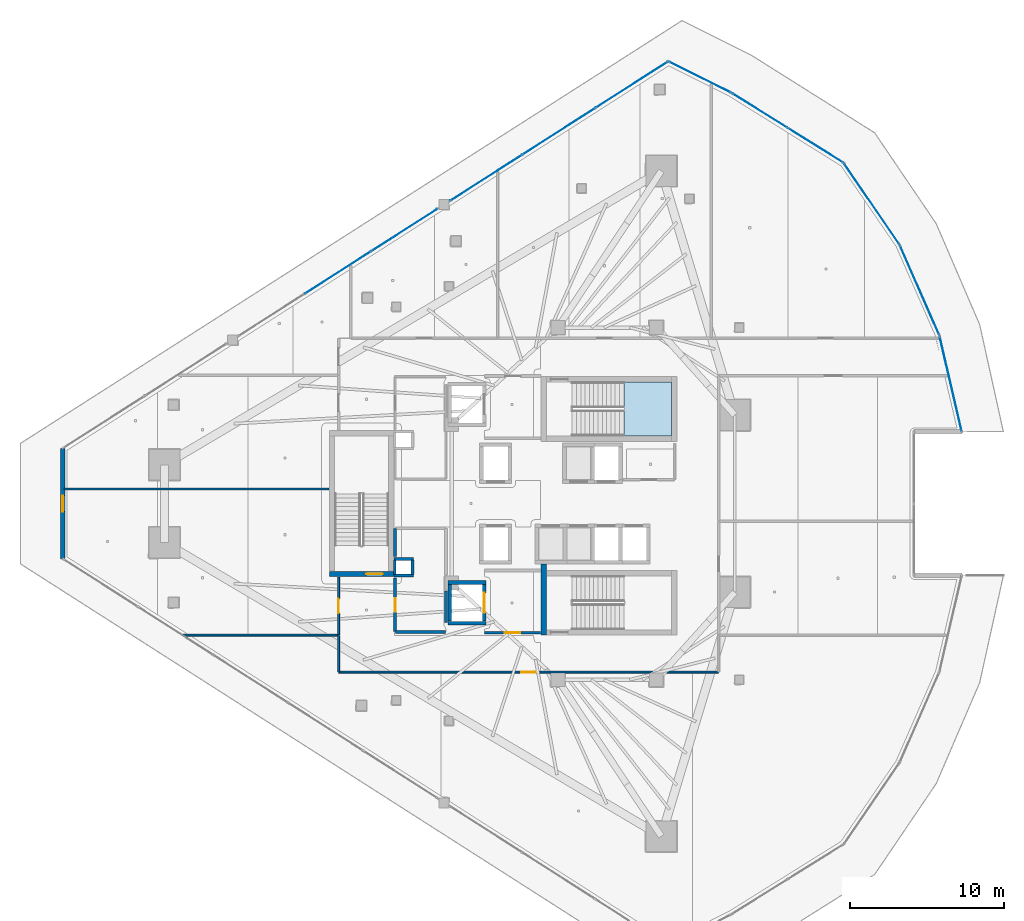
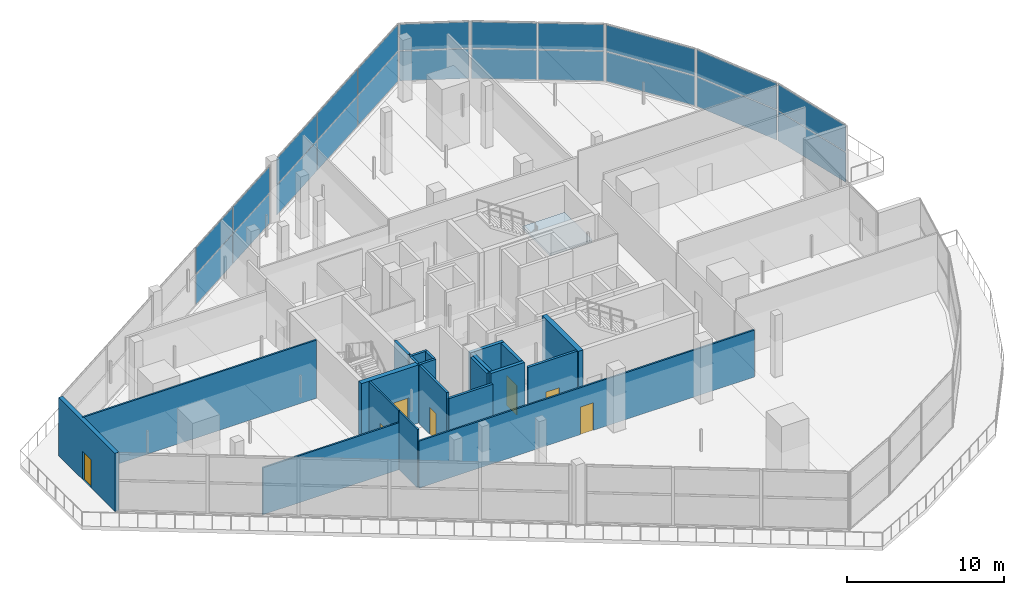
# One storey, part 23 of 36: 22 plates, 21 walls, 7 doors, 1 slab, 7 openings, 8 elements without a shape of their own.
"""IFC4 building model written with IfcOpenShell, lengths in metres."""

from ifc_helpers import new_model, si_unit, direction, frame, frame_2d, origin, origin_2d, place, context, subcontext, project, spatial, polyline, rectangle, outline, extrude, material, layer, layer_set, type_object, element, fill, aggregate, save


model = new_model("IFC4")

# Units and contexts
model_context = context("Model", 3, precision=1e-05, world=origin(), true_north=direction((0.0, 1.0)))
body_context = subcontext(model_context, "Body", "Model", "MODEL_VIEW")
ifc_project = project(units=[si_unit("LENGTHUNIT", "METRE"), si_unit("AREAUNIT", "SQUARE_METRE"), si_unit("VOLUMEUNIT", "CUBIC_METRE"), si_unit("PLANEANGLEUNIT", "RADIAN"), si_unit("MASSUNIT", "GRAM", prefix="KILO")], contexts=[model_context])

# Site, building, storey
site_placement = place(None, origin())
site = spatial("IfcSite", under=ifc_project, at=site_placement, CompositionType="ELEMENT")
building_placement = place(site_placement, origin())
building = spatial("IfcBuilding", under=site, at=building_placement, Name="Qorvath Tower", CompositionType="ELEMENT")
storey_placement = place(building_placement, frame((0.0, 0.0, 180.0)))
storey = spatial("IfcBuildingStorey", under=building, at=storey_placement, Name="L41", CompositionType="ELEMENT", Elevation=180.0)

# Curtain wall, plates
ifc_material_1 = material(Name="Anodised aluminium and triple low-E glass", Category="aluminium")
ifc_layer_1 = layer(ifc_material_1, 0.179931640625)
ifc_layer_set_1 = layer_set([ifc_layer_1], Name="CW-SYS-5")
curtain_wall_type = type_object("IfcCurtainWallType", Name="CW-SYS-5", PredefinedType="NOTDEFINED", material=ifc_layer_set_1)
curtain_wall_1_placement = place(storey_placement, origin())
curtain_wall_1 = element("IfcCurtainWall", 1, at=curtain_wall_1_placement, inside=storey, type_object=curtain_wall_type, Name="Curtain Wall CW-5 CW-T-L41-11.1", PredefinedType="NOTDEFINED")
ifc_material_2 = material(Name="Low-E triple insulated glass", Category="glass")
ifc_layer_2 = layer(ifc_material_2, 0.031982421875)
ifc_layer_set_2 = layer_set([ifc_layer_2], Name="CWP-GLZ-32")
plate_type = type_object("IfcPlateType", Name="CWP-GLZ-32", PredefinedType="CURTAIN_PANEL", material=ifc_layer_set_2)
plate_1_placement = place(storey_placement, frame((1.9375, 7.801513671875, 0.06494140625), z_axis=(0.0, 0.0, 1.0), x_axis=(-0.2259233779, 0.974145075088, 0.0)))
plate_1 = element("IfcPlate", 2, at=plate_1_placement, type_object=plate_type, Name="CW-5 panel 1.1", PredefinedType="CURTAIN_PANEL", context=body_context, shape_type="SweptSolid", body=[
    extrude(rectangle(XDim=6.28857421875, YDim=0.031982421875, at=origin_2d()), origin(), (0.0, 0.0, 1.0), 2.302490234375),
])
plate_2_placement = place(storey_placement, frame((1.9375, 7.801513671875, 2.432373046875), z_axis=(0.0, 0.0, 1.0), x_axis=(-0.2259233779, 0.974145075088, 0.0)))
plate_2 = element("IfcPlate", 3, at=plate_2_placement, type_object=plate_type, Name="CW-5 panel 1.2", PredefinedType="CURTAIN_PANEL", context=body_context, shape_type="SweptSolid", body=[
    extrude(rectangle(XDim=6.28857421875, YDim=0.031982421875, at=origin_2d()), origin(), (0.0, 0.0, 1.0), 2.03271484375),
])
aggregate(curtain_wall_1, [plate_1, plate_2])

curtain_wall_2_placement = place(storey_placement, origin())
curtain_wall_2 = element("IfcCurtainWall", 4, at=curtain_wall_2_placement, inside=storey, type_object=curtain_wall_type, Name="Curtain Wall CW-5 CW-T-L41-12.1", PredefinedType="NOTDEFINED")
plate_3_placement = place(storey_placement, frame((-0.083984375, 13.885009765625, 0.06494140625), z_axis=(0.0, 0.0, 1.0), x_axis=(-0.402061841186, 0.915612514038, 0.0)))
plate_3 = element("IfcPlate", 5, at=plate_3_placement, type_object=plate_type, Name="CW-5 panel 1.1", PredefinedType="CURTAIN_PANEL", context=body_context, shape_type="SweptSolid", body=[
    extrude(rectangle(XDim=6.288330078125, YDim=0.031982421875, at=origin_2d()), origin(), (0.0, 0.0, 1.0), 2.302490234375),
])
plate_4_placement = place(storey_placement, frame((-0.083984375, 13.885009765625, 2.432373046875), z_axis=(0.0, 0.0, 1.0), x_axis=(-0.402061841186, 0.915612514038, 0.0)))
plate_4 = element("IfcPlate", 6, at=plate_4_placement, type_object=plate_type, Name="CW-5 panel 1.2", PredefinedType="CURTAIN_PANEL", context=body_context, shape_type="SweptSolid", body=[
    extrude(rectangle(XDim=6.288330078125, YDim=0.031982421875, at=origin_2d()), origin(), (0.0, 0.0, 1.0), 2.03271484375),
])
aggregate(curtain_wall_2, [plate_3, plate_4])

curtain_wall_3_placement = place(storey_placement, origin())
curtain_wall_3 = element("IfcCurtainWall", 7, at=curtain_wall_3_placement, inside=storey, type_object=curtain_wall_type, Name="Curtain Wall CW-5 CW-T-L41-13.1", PredefinedType="NOTDEFINED")
plate_5_placement = place(storey_placement, frame((-3.1953125, 19.489990234375, 0.06494140625), z_axis=(0.0, 0.0, 1.0), x_axis=(-0.564389891595, 0.825508358689, 0.0)))
plate_5 = element("IfcPlate", 8, at=plate_5_placement, type_object=plate_type, Name="CW-5 panel 1.1", PredefinedType="CURTAIN_PANEL", context=body_context, shape_type="SweptSolid", body=[
    extrude(rectangle(XDim=6.28857421875, YDim=0.031982421875, at=origin_2d()), origin(), (0.0, 0.0, 1.0), 2.302490234375),
])
plate_6_placement = place(storey_placement, frame((-3.1953125, 19.489990234375, 2.432373046875), z_axis=(0.0, 0.0, 1.0), x_axis=(-0.564389891595, 0.825508358689, 0.0)))
plate_6 = element("IfcPlate", 9, at=plate_6_placement, type_object=plate_type, Name="CW-5 panel 1.2", PredefinedType="CURTAIN_PANEL", context=body_context, shape_type="SweptSolid", body=[
    extrude(rectangle(XDim=6.28857421875, YDim=0.031982421875, at=origin_2d()), origin(), (0.0, 0.0, 1.0), 2.03271484375),
])
aggregate(curtain_wall_3, [plate_5, plate_6])

curtain_wall_4_placement = place(storey_placement, origin())
curtain_wall_4 = element("IfcCurtainWall", 10, at=curtain_wall_4_placement, inside=storey, type_object=curtain_wall_type, Name="Curtain Wall CW-5 CW-T-L41-14.1", PredefinedType="NOTDEFINED")
plate_7_placement = place(storey_placement, frame((-6.85205078125, 23.29541015625, 0.06494140625), z_axis=(0.0, 0.0, 1.0), x_axis=(-0.848428552633, 0.529309919685, 0.0)))
plate_7 = element("IfcPlate", 11, at=plate_7_placement, type_object=plate_type, Name="CW-5 panel 1.1", PredefinedType="CURTAIN_PANEL", context=body_context, shape_type="SweptSolid", body=[
    extrude(rectangle(XDim=4.187255859375, YDim=0.031982421875, at=origin_2d()), origin(), (0.0, 0.0, 1.0), 2.302490234375),
])
plate_8_placement = place(storey_placement, frame((-6.85205078125, 23.29541015625, 2.432373046875), z_axis=(0.0, 0.0, 1.0), x_axis=(-0.848428552633, 0.529309919685, 0.0)))
plate_8 = element("IfcPlate", 12, at=plate_8_placement, type_object=plate_type, Name="CW-5 panel 1.2", PredefinedType="CURTAIN_PANEL", context=body_context, shape_type="SweptSolid", body=[
    extrude(rectangle(XDim=4.187255859375, YDim=0.031982421875, at=origin_2d()), origin(), (0.0, 0.0, 1.0), 2.03271484375),
])
plate_9_placement = place(storey_placement, frame((-10.46826171875, 25.55126953125, 0.06494140625), z_axis=(0.0, 0.0, 1.0), x_axis=(-0.848428552633, 0.529309919685, 0.0)))
plate_9 = element("IfcPlate", 13, at=plate_9_placement, type_object=plate_type, Name="CW-5 panel 2.1", PredefinedType="CURTAIN_PANEL", context=body_context, shape_type="SweptSolid", body=[
    extrude(rectangle(XDim=4.187255859375, YDim=0.031982421875, at=origin_2d()), origin(), (0.0, 0.0, 1.0), 2.302490234375),
])
plate_10_placement = place(storey_placement, frame((-10.46826171875, 25.55126953125, 2.432373046875), z_axis=(0.0, 0.0, 1.0), x_axis=(-0.848428552633, 0.529309919685, 0.0)))
plate_10 = element("IfcPlate", 14, at=plate_10_placement, type_object=plate_type, Name="CW-5 panel 2.2", PredefinedType="CURTAIN_PANEL", context=body_context, shape_type="SweptSolid", body=[
    extrude(rectangle(XDim=4.187255859375, YDim=0.031982421875, at=origin_2d()), origin(), (0.0, 0.0, 1.0), 2.03271484375),
])
aggregate(curtain_wall_4, [plate_7, plate_8, plate_9, plate_10])

curtain_wall_5_placement = place(storey_placement, origin())
curtain_wall_5 = element("IfcCurtainWall", 15, at=curtain_wall_5_placement, inside=storey, type_object=curtain_wall_type, Name="Curtain Wall CW-5 CW-T-L41-15.1", PredefinedType="NOTDEFINED")
plate_11_placement = place(storey_placement, frame((-14.362060546875, 27.72607421875, 0.06494140625), z_axis=(0.0, 0.0, 1.0), x_axis=(-0.894440255455, 0.447187465635, 0.0)))
plate_11 = element("IfcPlate", 16, at=plate_11_placement, type_object=plate_type, Name="CW-5 panel 1.1", PredefinedType="CURTAIN_PANEL", context=body_context, shape_type="SweptSolid", body=[
    extrude(rectangle(XDim=4.4423828125, YDim=0.031982421875, at=origin_2d()), origin(), (0.0, 0.0, 1.0), 2.302490234375),
])
plate_12_placement = place(storey_placement, frame((-14.362060546875, 27.72607421875, 2.432373046875), z_axis=(0.0, 0.0, 1.0), x_axis=(-0.894440255455, 0.447187465635, 0.0)))
plate_12 = element("IfcPlate", 17, at=plate_12_placement, type_object=plate_type, Name="CW-5 panel 1.2", PredefinedType="CURTAIN_PANEL", context=body_context, shape_type="SweptSolid", body=[
    extrude(rectangle(XDim=4.4423828125, YDim=0.031982421875, at=origin_2d()), origin(), (0.0, 0.0, 1.0), 2.03271484375),
])
aggregate(curtain_wall_5, [plate_11, plate_12])

curtain_wall_6_placement = place(storey_placement, origin())
curtain_wall_6 = element("IfcCurtainWall", 18, at=curtain_wall_6_placement, inside=storey, type_object=curtain_wall_type, Name="Curtain Wall CW-5 CW-T-L41-16.1", PredefinedType="NOTDEFINED")
plate_13_placement = place(storey_placement, frame((-18.80322265625, 27.22705078125, 0.06494140625), z_axis=(0.0, 0.0, 1.0), x_axis=(-0.842597295183, -0.538544146891, 0.0)))
plate_13 = element("IfcPlate", 19, at=plate_13_placement, type_object=plate_type, Name="CW-5 panel 1.1", PredefinedType="CURTAIN_PANEL", context=body_context, shape_type="SweptSolid", body=[
    extrude(rectangle(XDim=5.51708984375, YDim=0.031982421875, at=origin_2d()), origin(), (0.0, 0.0, 1.0), 2.302490234375),
])
plate_14_placement = place(storey_placement, frame((-18.80322265625, 27.22705078125, 2.432373046875), z_axis=(0.0, 0.0, 1.0), x_axis=(-0.842597295183, -0.538544146891, 0.0)))
plate_14 = element("IfcPlate", 20, at=plate_14_placement, type_object=plate_type, Name="CW-5 panel 1.2", PredefinedType="CURTAIN_PANEL", context=body_context, shape_type="SweptSolid", body=[
    extrude(rectangle(XDim=5.51708984375, YDim=0.031982421875, at=origin_2d()), origin(), (0.0, 0.0, 1.0), 2.03271484375),
])
plate_15_placement = place(storey_placement, frame((-23.531005859375, 24.205322265625, 0.06494140625), z_axis=(0.0, 0.0, 1.0), x_axis=(-0.842597295183, -0.538544146891, 0.0)))
plate_15 = element("IfcPlate", 21, at=plate_15_placement, type_object=plate_type, Name="CW-5 panel 2.1", PredefinedType="CURTAIN_PANEL", context=body_context, shape_type="SweptSolid", body=[
    extrude(rectangle(XDim=5.554443359375, YDim=0.031982421875, at=origin_2d()), origin(), (0.0, 0.0, 1.0), 2.302490234375),
])
plate_16_placement = place(storey_placement, frame((-23.531005859375, 24.205322265625, 2.432373046875), z_axis=(0.0, 0.0, 1.0), x_axis=(-0.842597295183, -0.538544146891, 0.0)))
plate_16 = element("IfcPlate", 22, at=plate_16_placement, type_object=plate_type, Name="CW-5 panel 2.2", PredefinedType="CURTAIN_PANEL", context=body_context, shape_type="SweptSolid", body=[
    extrude(rectangle(XDim=5.554443359375, YDim=0.031982421875, at=origin_2d()), origin(), (0.0, 0.0, 1.0), 2.03271484375),
])
plate_17_placement = place(storey_placement, frame((-28.258544921875, 21.18359375, 0.06494140625), z_axis=(0.0, 0.0, 1.0), x_axis=(-0.842597295183, -0.538544146891, 0.0)))
plate_17 = element("IfcPlate", 23, at=plate_17_placement, type_object=plate_type, Name="CW-5 panel 3.1", PredefinedType="CURTAIN_PANEL", context=body_context, shape_type="SweptSolid", body=[
    extrude(rectangle(XDim=5.51708984375, YDim=0.031982421875, at=origin_2d()), origin(), (0.0, 0.0, 1.0), 2.302490234375),
])
plate_18_placement = place(storey_placement, frame((-28.258544921875, 21.18359375, 2.432373046875), z_axis=(0.0, 0.0, 1.0), x_axis=(-0.842597295183, -0.538544146891, 0.0)))
plate_18 = element("IfcPlate", 24, at=plate_18_placement, type_object=plate_type, Name="CW-5 panel 3.2", PredefinedType="CURTAIN_PANEL", context=body_context, shape_type="SweptSolid", body=[
    extrude(rectangle(XDim=5.51708984375, YDim=0.031982421875, at=origin_2d()), origin(), (0.0, 0.0, 1.0), 2.03271484375),
])
aggregate(curtain_wall_6, [plate_13, plate_14, plate_15, plate_16, plate_17, plate_18])

curtain_wall_7_placement = place(storey_placement, origin())
curtain_wall_7 = element("IfcCurtainWall", 25, at=curtain_wall_7_placement, inside=storey, type_object=curtain_wall_type, Name="Curtain Wall CW-5 CW-T-L41-16.2", PredefinedType="NOTDEFINED")
plate_19_placement = place(storey_placement, frame((-33.565185546875, 17.7919921875, 0.06494140625), z_axis=(0.0, 0.0, 1.0), x_axis=(-0.842602165497, -0.538536526802, 0.0)))
plate_19 = element("IfcPlate", 26, at=plate_19_placement, type_object=plate_type, Name="CW-5 panel 1.1", PredefinedType="CURTAIN_PANEL", context=body_context, shape_type="SweptSolid", body=[
    extrude(rectangle(XDim=5.0224609375, YDim=0.031982421875, at=origin_2d()), origin(), (0.0, 0.0, 1.0), 2.302490234375),
])
plate_20_placement = place(storey_placement, frame((-33.565185546875, 17.7919921875, 2.432373046875), z_axis=(0.0, 0.0, 1.0), x_axis=(-0.842602165497, -0.538536526802, 0.0)))
plate_20 = element("IfcPlate", 27, at=plate_20_placement, type_object=plate_type, Name="CW-5 panel 1.2", PredefinedType="CURTAIN_PANEL", context=body_context, shape_type="SweptSolid", body=[
    extrude(rectangle(XDim=5.0224609375, YDim=0.031982421875, at=origin_2d()), origin(), (0.0, 0.0, 1.0), 2.03271484375),
])
plate_21_placement = place(storey_placement, frame((-37.876220703125, 15.036865234375, 0.06494140625), z_axis=(0.0, 0.0, 1.0), x_axis=(-0.842602165497, -0.538536526802, 0.0)))
plate_21 = element("IfcPlate", 28, at=plate_21_placement, type_object=plate_type, Name="CW-5 panel 2.1", PredefinedType="CURTAIN_PANEL", context=body_context, shape_type="SweptSolid", body=[
    extrude(rectangle(XDim=5.06005859375, YDim=0.031982421875, at=origin_2d()), origin(), (0.0, 0.0, 1.0), 2.302490234375),
])
plate_22_placement = place(storey_placement, frame((-37.876220703125, 15.036865234375, 2.432373046875), z_axis=(0.0, 0.0, 1.0), x_axis=(-0.842602165497, -0.538536526802, 0.0)))
plate_22 = element("IfcPlate", 29, at=plate_22_placement, type_object=plate_type, Name="CW-5 panel 2.2", PredefinedType="CURTAIN_PANEL", context=body_context, shape_type="SweptSolid", body=[
    extrude(rectangle(XDim=5.06005859375, YDim=0.031982421875, at=origin_2d()), origin(), (0.0, 0.0, 1.0), 2.03271484375),
])
aggregate(curtain_wall_7, [plate_19, plate_20, plate_21, plate_22])

# Stair, slab
ifc_material_3 = material(Name="Concrete C50/60", Category="concrete")
stair_type = type_object("IfcStairType", Name="ST-H480", PredefinedType="HALF_TURN_STAIR", material=ifc_material_3)
stair_placement = place(storey_placement, origin())
stair = element("IfcStair", 30, at=stair_placement, inside=storey, type_object=stair_type, Name="L41 Tower Exit Stair 1", PredefinedType="HALF_TURN_STAIR")
ifc_material_4 = material(Name="Concrete C50/60", Category="concrete")
ifc_layer_3 = layer(ifc_material_4, 0.199951171875)
ifc_layer_set_3 = layer_set([ifc_layer_3], Name="SL-LND-200")
slab_type = type_object("IfcSlabType", Name="SL-LND-200", PredefinedType="LANDING", material=ifc_layer_set_3)
slab_placement = place(storey_placement, frame((0.0, 0.0, 2.199951171875)))
slab = element("IfcSlab", 31, at=slab_placement, type_object=slab_type, Name="TS1 landing 1", PredefinedType="LANDING", context=body_context, shape_type="SweptSolid", body=[
    extrude(outline(polyline([(-19.31005859375, 4.39990234375), (-16.199951171875, 4.39990234375), (-16.199951171875, 7.909912109375), (-19.31005859375, 7.909912109375), (-19.31005859375, 4.39990234375)])), origin(), (0.0, 0.0, 1.0), 0.199951171875),
])
aggregate(stair, [slab])

# Walls
ifc_material_5 = material(Name="Gypsum shaftliner on steel studs", Category="steel")
ifc_layer_4 = layer(ifc_material_5, 0.179931640625)
ifc_layer_set_4 = layer_set([ifc_layer_4], Name="FW-LOBBY")
wall_type_1 = type_object("IfcWallType", Name="FW-LOBBY", PredefinedType="PARTITIONING", material=ifc_layer_set_4)
for number, where, z_axis, x_axis, name in (
    (32, (-32.989990234375, -4.675048828125, 0.0), (0.0, 0.0, 1.0), (-1.0, 0.0, 0.0), "MEP Riser Shaft Enclosure Wall S-L41-S"),
    (33, (-34.260009765625, -3.594970703125, 0.0), (0.0, 0.0, 1.0), (1.0, 0.0, 0.0), "MEP Riser Shaft Enclosure Wall S-L41-N"),
):
    element("IfcWall", number, at=place(storey_placement, frame(where, z_axis=z_axis, x_axis=x_axis)), inside=storey, type_object=wall_type_1, Name=name, PredefinedType="PARTITIONING", context=body_context, shape_type="SweptSolid", body=[
        extrude(rectangle(XDim=1.27001953125, YDim=0.179931640625, at=frame_2d((0.635009765625, 0.0))), origin(), (0.0, 0.0, 1.0), 4.530029296875),
    ])
for number, where, z_axis, x_axis, name in (
    (34, (-34.205078125, -4.610107421875, 0.0), (0.0, 0.0, 1.0), (0.0, 1.0, 0.0), "MEP Riser Shaft Enclosure Wall S-L41-W"),
    (35, (-33.044921875, -3.659912109375, 0.0), (0.0, 0.0, 1.0), (0.0, -1.0, 0.0), "MEP Riser Shaft Enclosure Wall S-L41-E"),
):
    element("IfcWall", number, at=place(storey_placement, frame(where, z_axis=z_axis, x_axis=x_axis)), inside=storey, type_object=wall_type_1, Name=name, PredefinedType="PARTITIONING", context=body_context, shape_type="SweptSolid", body=[
        extrude(rectangle(XDim=0.9501953125, YDim=0.179931640625, at=frame_2d((0.47509765625, 0.0))), origin(), (0.0, 0.0, 1.0), 4.530029296875),
    ])

# Wall, opening, door
wall_1_placement = place(storey_placement, frame((-28.35498046875, -8.39990234375, 0.0), z_axis=(0.0, 0.0, 1.0), x_axis=(1.0, 0.0, 0.0)))
wall_1 = element("IfcWall", 36, at=wall_1_placement, inside=storey, type_object=wall_type_1, Name="Interior Partition IW-T1-L41-003", PredefinedType="PARTITIONING", context=body_context, shape_type="SweptSolid", body=[
    extrude(rectangle(XDim=3.6220703125, YDim=0.179931640625, at=frame_2d((1.81103515625, 0.0))), origin(), (0.0, 0.0, 1.0), 4.530029296875),
])
opening_1_placement = place(wall_1_placement, frame((1.31103515625, 0.0, 0.0)))
opening_1 = element("IfcOpeningElement", 37, at=opening_1_placement, cuts=wall_1, Name="Opening D-T1-L41-13", PredefinedType="OPENING", context=body_context, shape_type="SweptSolid", body=[
    extrude(rectangle(XDim=1.0, YDim=2.14990234375, at=frame_2d((0.5, 1.074951171875))), frame((0.0, 0.10009765625, 0.0), z_axis=(0.0, -1.0, 0.0), x_axis=(1.0, 0.0, 0.0)), (0.0, 0.0, 1.0), 0.199951171875),
])
ifc_material_6 = material(Name="Painted galvanised hollow metal", Category="steel")
door_type_1 = type_object("IfcDoorType", Name="FD-60", OperationType="NOTDEFINED", PredefinedType="DOOR", material=ifc_material_6)
door_1_placement = place(opening_1_placement, origin())
door_1 = element("IfcDoor", 38, at=door_1_placement, inside=storey, type_object=door_type_1, Name="Lobby Fire Service Elevator South Door D-T1-L41-13", OperationType="SINGLE_SWING_RIGHT", OverallHeight=2.14990234375, OverallWidth=1.0, PredefinedType="DOOR", context=body_context, shape_type="SweptSolid", body=[
    extrude(rectangle(XDim=1.0, YDim=2.14990234375, at=frame_2d((0.5, 1.074951171875))), frame((0.0, 0.02490234375, 0.0), z_axis=(0.0, -1.0, 0.0), x_axis=(1.0, 0.0, 0.0)), (0.0, 0.0, 1.0), 0.050048828125),
])
fill(opening_1, door_1)

# Walls
wall_2_placement = place(storey_placement, frame((-34.15478515625, -8.35009765625, 0.0), z_axis=(0.0, 0.0, 1.0), x_axis=(1.0, 0.0, 0.0)))
element("IfcWall", 39, at=wall_2_placement, inside=storey, type_object=wall_type_1, Name="Interior Partition IW-T1-L41-013", PredefinedType="PARTITIONING", context=body_context, shape_type="SweptSolid", body=[
    extrude(rectangle(XDim=3.25, YDim=0.179931640625, at=frame_2d((1.625, 0.0))), origin(), (0.0, 0.0, 1.0), 4.09375),
])
wall_3_placement = place(storey_placement, frame((-30.8798828125, -7.742919921875, 0.0), z_axis=(0.0, 0.0, 1.0), x_axis=(0.0, 1.0, 0.0)))
element("IfcWall", 40, at=wall_3_placement, inside=storey, type_object=wall_type_1, Name="Interior Partition IW-T1-L41-014", PredefinedType="PARTITIONING", context=body_context, shape_type="SweptSolid", body=[
    extrude(rectangle(XDim=2.077880859375, YDim=0.179931640625, at=frame_2d((1.0390625, 0.0))), origin(), (0.0, 0.0, 1.0), 4.530029296875),
])
wall_4_placement = place(storey_placement, frame((-34.179931640625, -1.625, 0.0), z_axis=(0.0, 0.0, 1.0), x_axis=(0.0, -1.0, 0.0)))
element("IfcWall", 41, at=wall_4_placement, inside=storey, type_object=wall_type_1, Name="Interior Partition IW-T1-L41-017", PredefinedType="PARTITIONING", context=body_context, shape_type="SweptSolid", body=[
    extrude(rectangle(XDim=1.804931640625, YDim=0.179931640625, at=frame_2d((0.90234375, 0.0))), origin(), (0.0, 0.0, 1.0), 4.530029296875),
])

# Wall, opening, door
wall_5_placement = place(storey_placement, frame((-34.179931640625, -4.840087890625, 0.0), z_axis=(0.0, 0.0, 1.0), x_axis=(0.0, -1.0, 0.0)))
wall_5 = element("IfcWall", 42, at=wall_5_placement, inside=storey, type_object=wall_type_1, Name="Interior Partition IW-T1-L41-018", PredefinedType="PARTITIONING", context=body_context, shape_type="SweptSolid", body=[
    extrude(rectangle(XDim=3.485107421875, YDim=0.179931640625, at=frame_2d((1.74267578125, 0.0))), origin(), (0.0, 0.0, 1.0), 4.530029296875),
])
opening_2_placement = place(wall_5_placement, frame((1.302490234375, 0.0, 0.0)))
opening_2 = element("IfcOpeningElement", 43, at=opening_2_placement, cuts=wall_5, Name="Opening D-T1-L41-03", PredefinedType="OPENING", context=body_context, shape_type="SweptSolid", body=[
    extrude(rectangle(XDim=0.8798828125, YDim=2.10009765625, at=frame_2d((0.43994140625, 1.050048828125))), frame((0.0, 0.10009765625, 0.0), z_axis=(0.0, -1.0, 0.0), x_axis=(1.0, 0.0, 0.0)), (0.0, 0.0, 1.0), 0.199951171875),
])
ifc_material_7 = material(Name="Painted galvanised hollow metal", Category="steel")
door_type_2 = type_object("IfcDoorType", Name="FD-60N", OperationType="NOTDEFINED", PredefinedType="DOOR", material=ifc_material_7)
door_2_placement = place(opening_2_placement, origin())
door_2 = element("IfcDoor", 44, at=door_2_placement, inside=storey, type_object=door_type_2, Name="Core electrical and cleaner room L41 Door D-T1-L41-03", OperationType="SINGLE_SWING_RIGHT", OverallHeight=2.10009765625, OverallWidth=0.8798828125, PredefinedType="DOOR", context=body_context, shape_type="SweptSolid", body=[
    extrude(rectangle(XDim=0.8798828125, YDim=2.10009765625, at=frame_2d((0.43994140625, 1.050048828125))), frame((0.0, 0.02490234375, 0.0), z_axis=(0.0, -1.0, 0.0), x_axis=(1.0, 0.0, 0.0)), (0.0, 0.0, 1.0), 0.050048828125),
])
fill(opening_2, door_2)

ifc_material_8 = material(Name="Gypsum board on metal studs with mineral wool", Category="gypsum")
ifc_layer_5 = layer(ifc_material_8, 0.125)
ifc_layer_set_5 = layer_set([ifc_layer_5], Name="IW-PART-125")
wall_type_2 = type_object("IfcWallType", Name="IW-PART-125", PredefinedType="PARTITIONING", material=ifc_layer_set_5)
wall_6_placement = place(storey_placement, frame((-13.1669921875, -10.9580078125, 0.0), z_axis=(0.0, 0.0, 1.0), x_axis=(-1.0, 0.0, 0.0)))
wall_6 = element("IfcWall", 45, at=wall_6_placement, inside=storey, type_object=wall_type_2, Name="Interior Partition IW-T1-L41-029", PredefinedType="PARTITIONING", context=body_context, shape_type="SweptSolid", body=[
    extrude(rectangle(XDim=24.666015625, YDim=0.125, at=frame_2d((12.3330078125, 0.0))), origin(), (0.0, 0.0, 1.0), 3.64990234375),
])
opening_3_placement = place(wall_6_placement, frame((11.85791015625, 0.0, 0.0)))
opening_3 = element("IfcOpeningElement", 46, at=opening_3_placement, cuts=wall_6, Name="Opening D-T1-L41-07", PredefinedType="OPENING", context=body_context, shape_type="SweptSolid", body=[
    extrude(rectangle(XDim=0.949951171875, YDim=2.14990234375, at=frame_2d((0.47509765625, 1.074951171875))), frame((0.0, 0.072509765625, 0.0), z_axis=(0.0, -1.0, 0.0), x_axis=(1.0, 0.0, 0.0)), (0.0, 0.0, 1.0), 0.14501953125),
])
ifc_material_9 = material(Name="Solid-core American white oak veneer", Category="wood")
door_type_3 = type_object("IfcDoorType", Name="D-01", OperationType="NOTDEFINED", PredefinedType="DOOR", material=ifc_material_9)
door_3_placement = place(opening_3_placement, origin())
door_3 = element("IfcDoor", 47, at=door_3_placement, inside=storey, type_object=door_type_3, Name="L41-05 Sky Executive Partner Office Door D-T1-L41-07", OperationType="SINGLE_SWING_RIGHT", OverallHeight=2.14990234375, OverallWidth=0.949951171875, PredefinedType="DOOR", context=body_context, shape_type="SweptSolid", body=[
    extrude(rectangle(XDim=0.949951171875, YDim=2.14990234375, at=frame_2d((0.47509765625, 1.074951171875))), frame((0.0, 0.02490234375, 0.0), z_axis=(0.0, -1.0, 0.0), x_axis=(1.0, 0.0, 0.0)), (0.0, 0.0, 1.0), 0.050048828125),
])
fill(opening_3, door_3)

# Walls
wall_7_placement = place(storey_placement, frame((-37.85791015625, -8.574951171875, 0.0), z_axis=(0.0, 0.0, 1.0), x_axis=(0.0, -1.0, 0.0)))
element("IfcWall", 48, at=wall_7_placement, inside=storey, type_object=wall_type_2, Name="Interior Partition IW-T1-L41-030", PredefinedType="PARTITIONING", context=body_context, shape_type="SweptSolid", body=[
    extrude(rectangle(XDim=2.358154296875, YDim=0.125, at=frame_2d((1.17919921875, 0.0))), origin(), (0.0, 0.0, 1.0), 4.530029296875),
])
wall_8_placement = place(storey_placement, frame((-37.8828125, -8.550048828125, 0.0), z_axis=(0.0, 0.0, 1.0), x_axis=(-1.0, 0.0, 0.0)))
element("IfcWall", 49, at=wall_8_placement, inside=storey, type_object=wall_type_2, Name="Interior Partition IW-T1-L41-031", PredefinedType="PARTITIONING", context=body_context, shape_type="SweptSolid", body=[
    extrude(rectangle(XDim=10.062744140625, YDim=0.125, at=frame_2d((5.03125, 0.0))), origin(), (0.0, 0.0, 1.0), 3.64990234375),
])

# Wall, opening, door
wall_9_placement = place(storey_placement, frame((-37.85791015625, -8.51708984375, 0.0), z_axis=(0.0, 0.0, 1.0), x_axis=(0.0, 1.0, 0.0)))
wall_9 = element("IfcWall", 50, at=wall_9_placement, inside=storey, type_object=wall_type_2, Name="Interior Partition IW-T1-L41-036", PredefinedType="PARTITIONING", context=body_context, shape_type="SweptSolid", body=[
    extrude(rectangle(XDim=3.73388671875, YDim=0.125, at=frame_2d((1.866943359375, 0.0))), origin(), (0.0, 0.0, 1.0), 4.530029296875),
])
opening_4_placement = place(wall_9_placement, frame((1.391845703125, 0.0, 0.0)))
opening_4 = element("IfcOpeningElement", 51, at=opening_4_placement, cuts=wall_9, Name="Opening D-T1-L41-10", PredefinedType="OPENING", context=body_context, shape_type="SweptSolid", body=[
    extrude(rectangle(XDim=0.949951171875, YDim=2.14990234375, at=frame_2d((0.47509765625, 1.074951171875))), frame((0.0, 0.072509765625, 0.0), z_axis=(0.0, -1.0, 0.0), x_axis=(1.0, 0.0, 0.0)), (0.0, 0.0, 1.0), 0.14501953125),
])
door_4_placement = place(opening_4_placement, origin())
door_4 = element("IfcDoor", 52, at=door_4_placement, inside=storey, type_object=door_type_3, Name="L41-08 Sky Quantitative Research Studio Door D-T1-L41-10", OperationType="SINGLE_SWING_LEFT", OverallHeight=2.14990234375, OverallWidth=0.949951171875, PredefinedType="DOOR", context=body_context, shape_type="SweptSolid", body=[
    extrude(rectangle(XDim=0.949951171875, YDim=2.14990234375, at=frame_2d((0.47509765625, 1.074951171875))), frame((0.0, 0.02490234375, 0.0), z_axis=(0.0, -1.0, 0.0), x_axis=(1.0, 0.0, 0.0)), (0.0, 0.0, 1.0), 0.050048828125),
])
fill(opening_4, door_4)

# Walls
wall_10_placement = place(storey_placement, frame((-38.492919921875, 0.953369140625, 0.0), z_axis=(0.0, 0.0, 1.0), x_axis=(-1.0, 0.0, 0.0)))
element("IfcWall", 53, at=wall_10_placement, inside=storey, type_object=wall_type_2, Name="Interior Partition IW-T1-L41-037", PredefinedType="PARTITIONING", context=body_context, shape_type="SweptSolid", body=[
    extrude(rectangle(XDim=17.206787109375, YDim=0.125, at=frame_2d((8.603515625, 0.0))), origin(), (0.0, 0.0, 1.0), 4.530029296875),
])
ifc_material_10 = material(Name="Concrete C60/75", Category="concrete")
ifc_layer_6 = layer(ifc_material_10, 0.260009765625)
ifc_layer_set_6 = layer_set([ifc_layer_6], Name="SW-SHAFT")
wall_type_3 = type_object("IfcWallType", Name="SW-SHAFT", PredefinedType="SHEAR", material=ifc_layer_set_6)
for number, where, z_axis, x_axis, name in (
    (54, (-28.260009765625, -7.77001953125, 0.0), (0.0, 0.0, 1.0), (-1.0, 0.0, 0.0), "Hoistway Wall FSAE-2 L41 S"),
    (55, (-30.739990234375, -5.1298828125, 0.0), (0.0, 0.0, 1.0), (1.0, 0.0, 0.0), "Hoistway Wall FSAE-2 L41 N"),
):
    element("IfcWall", number, at=place(storey_placement, frame(where, z_axis=z_axis, x_axis=x_axis)), inside=storey, type_object=wall_type_3, Name=name, PredefinedType="SHEAR", context=body_context, shape_type="SweptSolid", body=[
        extrude(rectangle(XDim=2.47998046875, YDim=0.239990234375, at=frame_2d((1.239990234375, 0.0))), origin(), (0.0, 0.0, 1.0), 4.530029296875),
    ])
wall_11_placement = place(storey_placement, frame((-30.6201171875, -7.637939453125, 0.0), z_axis=(0.0, 0.0, 1.0), x_axis=(0.0, 1.0, 0.0)))
element("IfcWall", 56, at=wall_11_placement, inside=storey, type_object=wall_type_3, Name="Hoistway Wall FSAE-2 L41 W", PredefinedType="SHEAR", context=body_context, shape_type="SweptSolid", body=[
    extrude(rectangle(XDim=2.3759765625, YDim=0.239990234375, at=frame_2d((1.18798828125, 0.0))), origin(), (0.0, 0.0, 1.0), 4.530029296875),
])

# Wall, opening, door
wall_12_placement = place(storey_placement, frame((-28.3798828125, -5.261962890625, 0.0), z_axis=(0.0, 0.0, 1.0), x_axis=(0.0, -1.0, 0.0)))
wall_12 = element("IfcWall", 57, at=wall_12_placement, inside=storey, type_object=wall_type_3, Name="Hoistway Wall FSAE-2 L41 E", PredefinedType="SHEAR", context=body_context, shape_type="SweptSolid", body=[
    extrude(rectangle(XDim=2.3759765625, YDim=0.239990234375, at=frame_2d((1.18798828125, 0.0))), origin(), (0.0, 0.0, 1.0), 4.530029296875),
])
opening_5_placement = place(wall_12_placement, frame((0.5380859375, 0.0, 0.0)))
opening_5 = element("IfcOpeningElement", 58, at=opening_5_placement, cuts=wall_12, Name="Opening LD-FSAE-2-L41", PredefinedType="OPENING", context=body_context, shape_type="SweptSolid", body=[
    extrude(rectangle(XDim=1.300048828125, YDim=2.300048828125, at=frame_2d((0.64990234375, 1.14990234375))), frame((0.0, 0.1298828125, 0.0), z_axis=(0.0, -1.0, 0.0), x_axis=(1.0, 0.0, 0.0)), (0.0, 0.0, 1.0), 0.260009765625),
])
ifc_material_11 = material(Name="Brushed stainless steel AISI 316", Category="steel")
door_type_4 = type_object("IfcDoorType", Name="LD-02", OperationType="NOTDEFINED", PredefinedType="DOOR", material=ifc_material_11)
door_5_placement = place(opening_5_placement, origin())
door_5 = element("IfcDoor", 59, at=door_5_placement, inside=storey, type_object=door_type_4, Name="Elevator Landing Sliding Door LD-FSAE-2-L41", OperationType="DOUBLE_DOOR_SLIDING", OverallHeight=2.300048828125, OverallWidth=1.300048828125, PredefinedType="DOOR", context=body_context, shape_type="SweptSolid", body=[
    extrude(rectangle(XDim=1.300048828125, YDim=2.300048828125, at=frame_2d((0.64990234375, 1.14990234375))), frame((0.0, 0.02490234375, 0.0), z_axis=(0.0, -1.0, 0.0), x_axis=(1.0, 0.0, 0.0)), (0.0, 0.0, 1.0), 0.050048828125),
])
fill(opening_5, door_5)

# Wall
ifc_material_12 = material(Name="Concrete C60/75", Category="concrete")
ifc_layer_7 = layer(ifc_material_12, 0.35009765625)
ifc_layer_set_7 = layer_set([ifc_layer_7], Name="SW-STAIR")
wall_type_4 = type_object("IfcWallType", Name="SW-STAIR", PredefinedType="SHEAR", material=ifc_layer_set_7)
wall_13_placement = place(storey_placement, frame((-24.52490234375, -3.93994140625, 0.0), z_axis=(0.0, 0.0, 1.0), x_axis=(0.0, -1.0, 0.0)))
element("IfcWall", 60, at=wall_13_placement, inside=storey, type_object=wall_type_4, Name="Stair TS2 Shear Wall L41 NEAR", PredefinedType="SHEAR", context=body_context, shape_type="SweptSolid", body=[
    extrude(rectangle(XDim=4.610107421875, YDim=0.35009765625, at=frame_2d((2.30517578125, 0.0))), origin(), (0.0, 0.0, 1.0), 4.530029296875),
])

# Wall, opening, door
wall_14_placement = place(storey_placement, frame((-38.4599609375, -4.574951171875, 0.0), z_axis=(0.0, 0.0, 1.0), x_axis=(1.0, 0.0, 0.0)))
wall_14 = element("IfcWall", 61, at=wall_14_placement, inside=storey, type_object=wall_type_4, Name="Stair TS3 Shear Wall L41 NEAR", PredefinedType="SHEAR", context=body_context, shape_type="SweptSolid", body=[
    extrude(rectangle(XDim=4.2099609375, YDim=0.35009765625, at=frame_2d((2.10498046875, 0.0))), origin(), (0.0, 0.0, 1.0), 4.530029296875),
])
opening_6_placement = place(wall_14_placement, frame((2.389892578125, 0.0, 0.0)))
opening_6 = element("IfcOpeningElement", 62, at=opening_6_placement, cuts=wall_14, Name="Opening D-TS3-L41", PredefinedType="OPENING", context=body_context, shape_type="SweptSolid", body=[
    extrude(rectangle(XDim=1.10009765625, YDim=2.199951171875, at=frame_2d((0.550048828125, 1.10009765625))), frame((0.0, 0.18505859375, 0.0), z_axis=(0.0, -1.0, 0.0), x_axis=(1.0, 0.0, 0.0)), (0.0, 0.0, 1.0), 0.3701171875),
])
ifc_material_13 = material(Name="Painted galvanised hollow metal", Category="steel")
door_type_5 = type_object("IfcDoorType", Name="FD-90", OperationType="NOTDEFINED", PredefinedType="DOOR", material=ifc_material_13)
door_6_placement = place(opening_6_placement, origin())
door_6 = element("IfcDoor", 63, at=door_6_placement, inside=storey, type_object=door_type_5, Name="Stair TS3 Fire Door L41", OperationType="SINGLE_SWING_RIGHT", OverallHeight=2.199951171875, OverallWidth=1.10009765625, PredefinedType="DOOR", context=body_context, shape_type="SweptSolid", body=[
    extrude(rectangle(XDim=1.10009765625, YDim=2.199951171875, at=frame_2d((0.550048828125, 1.10009765625))), frame((0.0, 0.02490234375, 0.0), z_axis=(0.0, -1.0, 0.0), x_axis=(1.0, 0.0, 0.0)), (0.0, 0.0, 1.0), 0.050048828125),
])
fill(opening_6, door_6)

ifc_material_14 = material(Name="Precast concrete C45/55", Category="concrete")
ifc_layer_8 = layer(ifc_material_14, 0.300048828125)
ifc_layer_set_8 = layer_set([ifc_layer_8], Name="WL-EW-LOG-300")
wall_type_5 = type_object("IfcWallType", Name="WL-EW-LOG-300", PredefinedType="SOLIDWALL", material=ifc_layer_set_8)
wall_15_placement = place(storey_placement, frame((-55.77978515625, -3.593994140625, 0.0), z_axis=(0.0, 0.0, 1.0), x_axis=(0.0, 1.0, 0.0)))
wall_15 = element("IfcWall", 64, at=wall_15_placement, inside=storey, type_object=wall_type_5, Name="Tower Precast Loggia Wall L41-1.1", PredefinedType="SOLIDWALL", context=body_context, shape_type="SweptSolid", body=[
    extrude(rectangle(XDim=7.18798828125, YDim=0.300048828125, at=frame_2d((3.593994140625, 0.0))), origin(), (0.0, 0.0, 1.0), 4.530029296875),
])
opening_7_placement = place(wall_15_placement, frame((3.069091796875, 0.0, 0.0)))
opening_7 = element("IfcOpeningElement", 65, at=opening_7_placement, cuts=wall_15, Name="Opening ED-L41-01", PredefinedType="OPENING", context=body_context, shape_type="SweptSolid", body=[
    extrude(rectangle(XDim=1.050048828125, YDim=2.199951171875, at=frame_2d((0.52490234375, 1.10009765625))), frame((0.0, 0.16015625, 0.0), z_axis=(0.0, -1.0, 0.0), x_axis=(1.0, 0.0, 0.0)), (0.0, 0.0, 1.0), 0.320068359375),
])
ifc_material_15 = material(Name="Thermally broken aluminium glazed door", Category="aluminium")
door_type_6 = type_object("IfcDoorType", Name="ED-LOG", OperationType="NOTDEFINED", PredefinedType="DOOR", material=ifc_material_15)
door_7_placement = place(opening_7_placement, origin())
door_7 = element("IfcDoor", 66, at=door_7_placement, inside=storey, type_object=door_type_6, Name="L41 Recessed Loggia Access Door 1", OperationType="SINGLE_SWING_RIGHT", OverallHeight=2.199951171875, OverallWidth=1.050048828125, PredefinedType="DOOR", context=body_context, shape_type="SweptSolid", body=[
    extrude(rectangle(XDim=1.050048828125, YDim=2.199951171875, at=frame_2d((0.52490234375, 1.10009765625))), frame((0.0, 0.02490234375, 0.0), z_axis=(0.0, -1.0, 0.0), x_axis=(1.0, 0.0, 0.0)), (0.0, 0.0, 1.0), 0.050048828125),
])
fill(opening_7, door_7)

save(model, "model.ifc")
